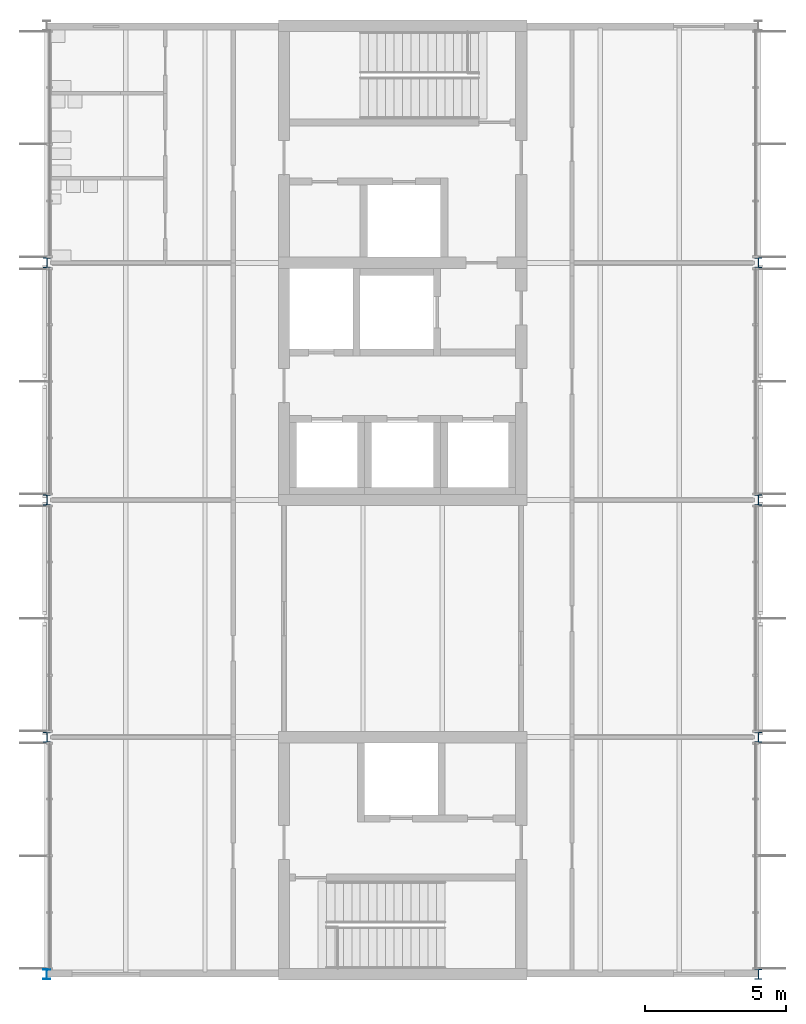
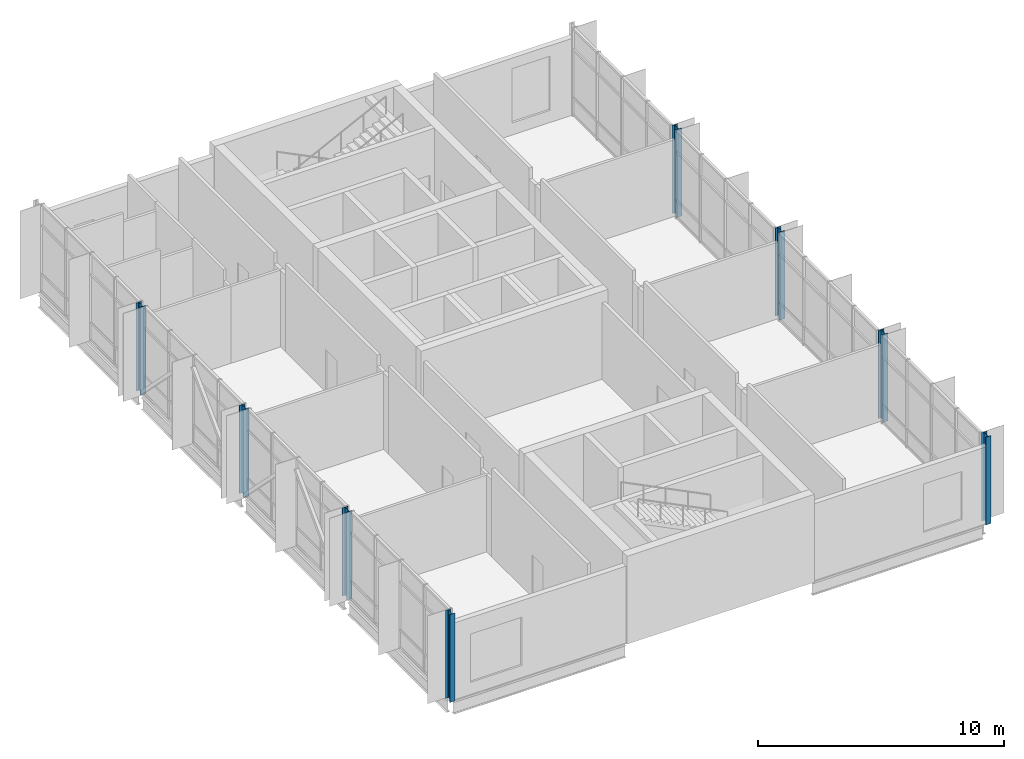
# One storey, part 1 of 17: 8 columns.
"""IFC4 building model written with IfcOpenShell, lengths in metres."""

from ifc_helpers import new_model, si_unit, direction, frame, origin, origin_2d, place, context, subcontext, project, spatial, i_section, extrude, material, material_profile, profile_set, type_object, element, save


model = new_model("IFC4")

# Units and contexts
model_context = context("Model", 3, precision=1e-05, world=origin(), true_north=direction((0.0, 1.0)))
body_context = subcontext(model_context, "Body", "Model", "MODEL_VIEW")
ifc_project = project(units=[si_unit("LENGTHUNIT", "METRE"), si_unit("AREAUNIT", "SQUARE_METRE"), si_unit("VOLUMEUNIT", "CUBIC_METRE"), si_unit("PLANEANGLEUNIT", "RADIAN"), si_unit("MASSUNIT", "GRAM", prefix="KILO")], contexts=[model_context])

# Site, building, storey
site_placement = place(None, origin())
site = spatial("IfcSite", under=ifc_project, at=site_placement, CompositionType="ELEMENT")
building_placement = place(site_placement, origin())
building = spatial("IfcBuilding", under=site, at=building_placement, Name="Hlaing Beacon Police Headquarters", CompositionType="ELEMENT")
storey_placement = place(building_placement, frame((0.0, 0.0, 36.89990234375)))
storey = spatial("IfcBuildingStorey", under=building, at=storey_placement, Name="L08", CompositionType="ELEMENT", Elevation=36.89990234375)

# Columns
ifc_material_1 = material(Name="Steel ASTM A992 Grade 50", Category="steel")
ifc_material_profile_1 = material_profile(ifc_material_1, i_section(OverallWidth=0.25390625, OverallDepth=0.35302734375, WebThickness=0.009521484375, FlangeThickness=0.016357421875, FilletRadius=0.01513671875, at=origin_2d()), Name="W14x61")
ifc_profile_set_1 = profile_set([ifc_material_profile_1], Name="Steel ASTM A992 Grade 50")
column_type_1 = type_object("IfcColumnType", Name="Steel column W14x61", PredefinedType="COLUMN", material=ifc_profile_set_1)
column_placement = place(storey_placement, frame((100.800048828125, 33.60009765625, 0.0), z_axis=(0.0, 0.0, 1.0), x_axis=(1.0, 0.0, 0.0)))
element("IfcColumn", 1, at=column_placement, inside=storey, type_object=column_type_1, Name="STR-COL-L08-N5", PredefinedType="COLUMN", context=body_context, shape_type="SweptSolid", body=[
    extrude(i_section(OverallWidth=0.25390625, OverallDepth=0.35302734375, WebThickness=0.009521484375, FlangeThickness=0.016357421875, FilletRadius=0.01513671875, at=origin_2d()), origin(), (0.0, 0.0, 1.0), 4.3701171875),
])
ifc_material_2 = material(Name="Steel ASTM A992 Grade 50", Category="steel")
ifc_material_profile_2 = material_profile(ifc_material_2, i_section(OverallWidth=0.256591796875, OverallDepth=0.36328125, WebThickness=0.012939453125, FlangeThickness=0.021728515625, FilletRadius=0.01513671875, at=origin_2d()), Name="W14x82")
ifc_profile_set_2 = profile_set([ifc_material_profile_2], Name="Steel ASTM A992 Grade 50")
column_type_2 = type_object("IfcColumnType", Name="Steel column W14x82", PredefinedType="COLUMN", material=ifc_profile_set_2)
for number, where, z_axis, x_axis, name in (
    (2, (100.800048828125, 42.0, 0.0), (0.0, 0.0, 1.0), (1.0, 0.0, 0.0), "STR-COL-L08-N6"),
    (3, (100.800048828125, 50.39990234375, 0.0), (0.0, 0.0, 1.0), (1.0, 0.0, 0.0), "STR-COL-L08-N7"),
    (4, (100.800048828125, 58.800048828125, 0.0), (0.0, 0.0, 1.0), (1.0, 0.0, 0.0), "STR-COL-L08-N8"),
    (5, (126.0, 33.60009765625, 0.0), (0.0, 0.0, 1.0), (1.0, 0.0, 0.0), "STR-COL-L08-R5"),
    (6, (126.0, 42.0, 0.0), (0.0, 0.0, 1.0), (1.0, 0.0, 0.0), "STR-COL-L08-R6"),
    (7, (126.0, 50.39990234375, 0.0), (0.0, 0.0, 1.0), (1.0, 0.0, 0.0), "STR-COL-L08-R7"),
    (8, (126.0, 58.800048828125, 0.0), (0.0, 0.0, 1.0), (1.0, 0.0, 0.0), "STR-COL-L08-R8"),
):
    element("IfcColumn", number, at=place(storey_placement, frame(where, z_axis=z_axis, x_axis=x_axis)), inside=storey, type_object=column_type_2, Name=name, PredefinedType="COLUMN", context=body_context, shape_type="SweptSolid", body=[
        extrude(i_section(OverallWidth=0.256591796875, OverallDepth=0.36328125, WebThickness=0.012939453125, FlangeThickness=0.021728515625, FilletRadius=0.01513671875, at=origin_2d()), origin(), (0.0, 0.0, 1.0), 4.3701171875),
    ])

save(model, "model.ifc")
